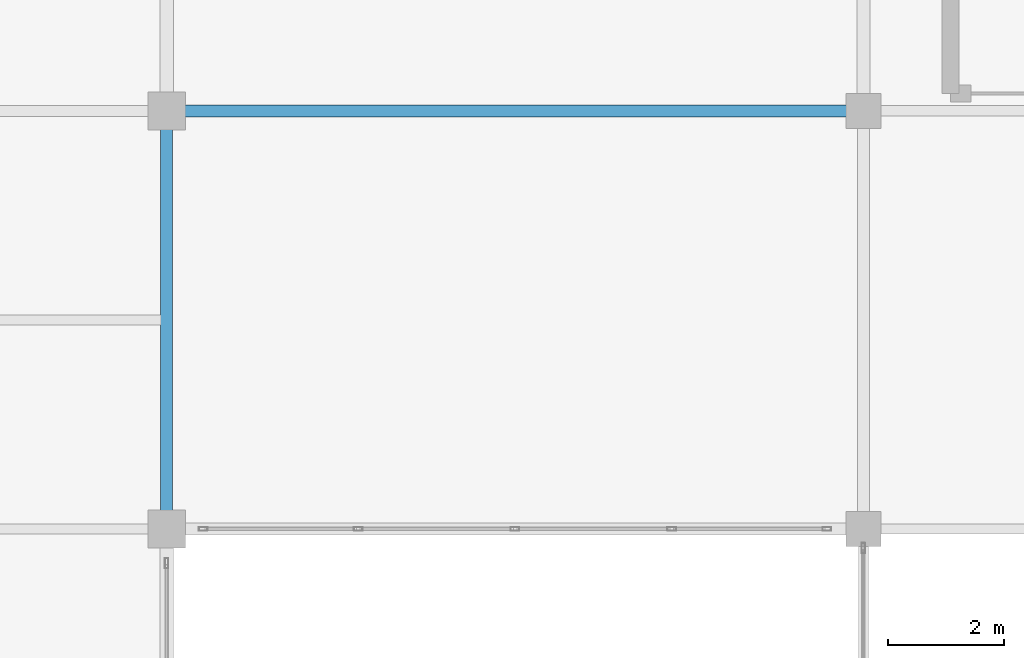
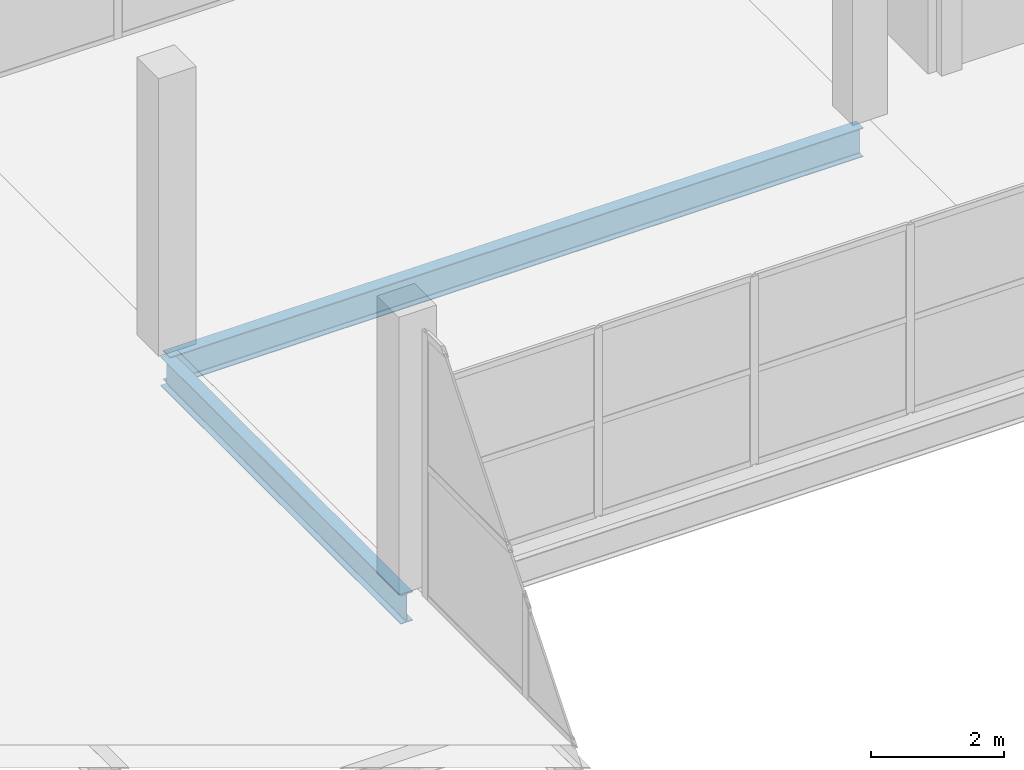
# One storey, part 63 of 127: 2 beams.
"""IFC4 building model written with IfcOpenShell, lengths in metres."""

import ifcopenshell
import ifcopenshell.guid

model = None  # the IFC model being written
_history = None  # IfcOwnerHistory: only IFC2X3 demands one
_inside = {}  # id of a spatial element -> (the spatial element, [elements in it])
_under = {}  # id of a project, library or spatial element -> (it, [spatial elements below it])
_declared = {}  # id of a project -> (the project, [libraries it declares])
_typed = {}  # id of a type object -> (the type object, [elements of that type])
_made_of = {}  # id of a material, layer set ... -> (it, [elements and type objects made of it])


def new_model(schema):
    """Start an empty IFC model of exactly this schema.

    Asked for "IFC4X3", IfcOpenShell would pick the latest addendum, in which some entities
    have other attributes; the version numbers below select the first issue.
    IFC2X3 requires an IfcOwnerHistory on every rooted entity: one is made here for all.
    """
    global model, _history
    if schema == "IFC4X3":
        model = ifcopenshell.file(schema_version=(4, 3, 0, 0))
    else:
        model = ifcopenshell.file(schema=schema)
    _inside.clear()
    _under.clear()
    _declared.clear()
    _typed.clear()
    _made_of.clear()
    _history = None
    if model.schema == "IFC2X3":
        org = make("IfcOrganization", Name="unknown")
        user = make(
            "IfcPersonAndOrganization",
            ThePerson=make("IfcPerson", FamilyName="unknown"),
            TheOrganization=org,
        )
        app = make(
            "IfcApplication",
            ApplicationDeveloper=org,
            Version="unknown",
            ApplicationFullName="unknown",
            ApplicationIdentifier="unknown",
        )
        _history = make(
            "IfcOwnerHistory",
            OwningUser=user,
            OwningApplication=app,
            ChangeAction="ADDED",
            CreationDate=0,
        )
    return model


def make(cls, **values):
    """One entity of the class cls with the attributes given. An attribute that is None is left unset."""
    return model.create_entity(
        cls, **{name: value for name, value in values.items() if value is not None}
    )


def rooted(cls, **values):
    """An entity with a GlobalId (a new one), such as an element, a storey or a relation."""
    return make(cls, GlobalId=ifcopenshell.guid.new(), OwnerHistory=_history, **values)


def si_unit(unit_type, name, prefix=None):
    """IfcSIUnit, for example si_unit("LENGTHUNIT", "METRE", prefix="MILLI")."""
    return make("IfcSIUnit", UnitType=unit_type, Prefix=prefix, Name=name)


def assignment(units):
    """IfcUnitAssignment: the units of a project."""
    return None if units is None else make("IfcUnitAssignment", Units=units)


def point(xyz):
    """IfcCartesianPoint."""
    return None if xyz is None else make("IfcCartesianPoint", Coordinates=xyz)


def direction(xyz):
    """IfcDirection."""
    return None if xyz is None else make("IfcDirection", DirectionRatios=xyz)


def frame(location, z_axis=None, x_axis=None):
    """IfcAxis2Placement3D, a coordinate frame: its origin and axes. An axis left out is left unset."""
    return make(
        "IfcAxis2Placement3D",
        Location=point(location),
        Axis=direction(z_axis),
        RefDirection=direction(x_axis),
    )


def frame_2d(location, x_axis=None):
    """IfcAxis2Placement2D, a coordinate frame in the plane: its origin and x axis."""
    return make(
        "IfcAxis2Placement2D", Location=point(location), RefDirection=direction(x_axis)
    )


def origin():
    """The frame at (0, 0, 0) with its axes left unset."""
    return frame((0.0, 0.0, 0.0))


def origin_2d():
    """The frame at (0, 0) in the plane with its x axis left unset."""
    return frame_2d((0.0, 0.0))


def place(relative_to, where):
    """IfcLocalPlacement: puts the frame where relative to a parent placement (None: the world)."""
    return make(
        "IfcLocalPlacement", PlacementRelTo=relative_to, RelativePlacement=where
    )


def context(
    kind, dimensions, precision=None, world=None, true_north=None, identifier=None
):
    """IfcGeometricRepresentationContext, for example the 3D "Model" context."""
    return make(
        "IfcGeometricRepresentationContext",
        ContextIdentifier=identifier,
        ContextType=kind,
        CoordinateSpaceDimension=dimensions,
        Precision=precision,
        WorldCoordinateSystem=world,
        TrueNorth=true_north,
    )


def subcontext(parent, identifier, kind, view, scale=None):
    """IfcGeometricRepresentationSubContext, for example "Body" below "Model"."""
    return make(
        "IfcGeometricRepresentationSubContext",
        ContextIdentifier=identifier,
        ContextType=kind,
        ParentContext=parent,
        TargetScale=scale,
        TargetView=view,
    )


def project(units=None, contexts=None):
    """IfcProject with its units and contexts."""
    return rooted(
        "IfcProject",
        Name="project",
        RepresentationContexts=contexts,
        UnitsInContext=assignment(units),
    )


def spatial(cls, under=None, at=None, **own):
    """A site, building, storey or space (cls), placed at a placement, below another one or the project."""
    s = rooted(cls, ObjectPlacement=at, **own)
    if under is not None:
        _under.setdefault(under.id(), (under, []))[1].append(s)
    return s


def profile(cls, at=None, kind="AREA", **sizes):
    """A parametric profile (cls). Its sizes go by their IFC names, for example OverallWidth=200.0."""
    return make(cls, ProfileType=kind, Position=at, **sizes)


def i_section(**sizes):
    """IfcIShapeProfileDef."""
    return profile("IfcIShapeProfileDef", **sizes)


def extrude(swept, where, along, depth):
    """IfcExtrudedAreaSolid: the profile swept, set in the frame where, extruded along a direction by depth."""
    return make(
        "IfcExtrudedAreaSolid",
        SweptArea=swept,
        Position=where,
        ExtrudedDirection=direction(along),
        Depth=depth,
    )


def shape(context_of_items, identifier, shape_type, items):
    """IfcShapeRepresentation: the items that make up one representation, for example the "Body"."""
    return make(
        "IfcShapeRepresentation",
        ContextOfItems=context_of_items,
        RepresentationIdentifier=identifier,
        RepresentationType=shape_type,
        Items=items,
    )


def material(Name=None, Category=None):
    """IfcMaterial."""
    return make("IfcMaterial", Name=Name, Category=Category)


def material_profile(
    of_material, cross_section, Name=None, Category=None, Priority=None
):
    """IfcMaterialProfile: a cross section and its material."""
    return make(
        "IfcMaterialProfile",
        Name=Name,
        Material=of_material,
        Profile=cross_section,
        Priority=Priority,
        Category=Category,
    )


def profile_set(profiles, Name=None, composite=None):
    """IfcMaterialProfileSet."""
    return make(
        "IfcMaterialProfileSet",
        Name=Name,
        MaterialProfiles=profiles,
        CompositeProfile=composite,
    )


def made_of(thing, what):
    """Note that an element or type object is made of a material, layer set ...; save() writes the relation."""
    if what is not None:
        _made_of.setdefault(what.id(), (what, []))[1].append(thing)
    return thing


def type_object(cls, material=None, **own):
    """A type object (cls), such as IfcWallType, which elements share."""
    return made_of(rooted(cls, **own), material)


def element(
    cls,
    number,
    at=None,
    inside=None,
    cuts=None,
    type_object=None,
    material=None,
    context=None,
    identifier="Body",
    shape_type=None,
    held_by="IfcProductDefinitionShape",
    body=None,
    shapes=None,
    **own,
):
    """One element of the class cls, such as IfcWall. Its Tag is "e" and its number.

    at: its placement. inside: the storey or other place that contains it. cuts: it is an
    opening in that element (IfcRelVoidsElement). A single representation is given by context,
    identifier, shape_type and body (its items); several are given by shapes. held_by: the class
    of the entity that holds the representations. save() writes the other relations.
    """
    e = rooted(cls, Tag="e%d" % number, ObjectPlacement=at, **own)
    if body is not None:
        shapes = [shape(context, identifier, shape_type, body)]
    if shapes is not None:
        e.Representation = make(held_by, Representations=shapes)
    if inside is not None:
        _inside.setdefault(inside.id(), (inside, []))[1].append(e)
    if cuts is not None:
        rooted(
            "IfcRelVoidsElement", RelatingBuildingElement=cuts, RelatedOpeningElement=e
        )
    if type_object is not None:
        _typed.setdefault(type_object.id(), (type_object, []))[1].append(e)
    return made_of(e, material)


def aggregate(whole, parts):
    """IfcRelAggregates: a whole, such as a stair, and the parts it consists of."""
    return rooted("IfcRelAggregates", RelatingObject=whole, RelatedObjects=parts)


def save(model, path):
    """Write the relations noted so far, then the file.

    IfcRelAggregates (storeys below a building ...), IfcRelContainedInSpatialStructure (elements
    in a storey), IfcRelDefinesByType, IfcRelAssociatesMaterial and IfcRelDeclares: one each for
    every whole, place, type object, material and project.
    """
    for whole, parts in _under.values():
        aggregate(whole, parts)
    for where, things in _inside.values():
        rooted(
            "IfcRelContainedInSpatialStructure",
            RelatedElements=things,
            RelatingStructure=where,
        )
    for kind, things in _typed.values():
        rooted("IfcRelDefinesByType", RelatedObjects=things, RelatingType=kind)
    for what, things in _made_of.values():
        rooted("IfcRelAssociatesMaterial", RelatedObjects=things, RelatingMaterial=what)
    for by, libraries in _declared.values():
        rooted("IfcRelDeclares", RelatingContext=by, RelatedDefinitions=libraries)
    model.write(path)


model = new_model("IFC4")

# Units and contexts
model_context = context("Model", 3, precision=1e-05, world=origin(), true_north=direction((0.0, 1.0)))
body_context = subcontext(model_context, "Body", "Model", "MODEL_VIEW")
ifc_project = project(units=[si_unit("LENGTHUNIT", "METRE"), si_unit("AREAUNIT", "SQUARE_METRE"), si_unit("VOLUMEUNIT", "CUBIC_METRE"), si_unit("PLANEANGLEUNIT", "RADIAN"), si_unit("MASSUNIT", "GRAM", prefix="KILO")], contexts=[model_context])

# Site, building, storey
site_placement = place(None, origin())
site = spatial("IfcSite", under=ifc_project, at=site_placement, CompositionType="ELEMENT")
building_placement = place(site_placement, origin())
building = spatial("IfcBuilding", under=site, at=building_placement, Name="Dunvalen Ferry Terminal", CompositionType="ELEMENT")
storey_placement = place(building_placement, frame((0.0, 0.0, 5.760009765625)))
storey = spatial("IfcBuildingStorey", under=building, at=storey_placement, Name="L01", CompositionType="ELEMENT", Elevation=5.760009765625)

# Beams
ifc_material = material(Name="Steel S355", Category="steel")
ifc_material_profile = material_profile(ifc_material, i_section(OverallWidth=0.209228515625, OverallDepth=0.533203125, WebThickness=0.010009765625, FlangeThickness=0.015625, FilletRadius=0.0126953125, at=origin_2d()), Name="Steel S355")
ifc_profile_set = profile_set([ifc_material_profile], Name="Steel S355")
beam_type = type_object("IfcBeamType", Name="STR-BM-UKB533", PredefinedType="BEAM", material=ifc_profile_set)
beam_1_placement = place(storey_placement, frame((96.0, 72.0, -0.546630859375), z_axis=(0.0, 1.0, 0.0), x_axis=(-1.0, 0.0, 0.0)))
element("IfcBeam", 1, at=beam_1_placement, inside=storey, type_object=beam_type, Name="L01 V1M Primary Girder Y-143", PredefinedType="BEAM", context=body_context, shape_type="SweptSolid", body=[
    extrude(i_section(OverallWidth=0.209228515625, OverallDepth=0.533203125, WebThickness=0.010009765625, FlangeThickness=0.015625, FilletRadius=0.0126953125, at=origin_2d()), origin(), (0.0, 0.0, 1.0), 7.199951171875),
])
beam_2_placement = place(storey_placement, frame((96.0, 79.199951171875, -0.530029296875), z_axis=(1.0, 0.0, 0.0), x_axis=(0.0, 1.0, 0.0)))
element("IfcBeam", 2, at=beam_2_placement, inside=storey, type_object=beam_type, Name="L01 Concourse Link Bridge Girder 2", PredefinedType="BEAM", context=body_context, shape_type="SweptSolid", body=[
    extrude(i_section(OverallWidth=0.209228515625, OverallDepth=0.533203125, WebThickness=0.010009765625, FlangeThickness=0.015625, FilletRadius=0.0126953125, at=origin_2d()), origin(), (0.0, 0.0, 1.0), 12.0),
])

save(model, "model.ifc")
